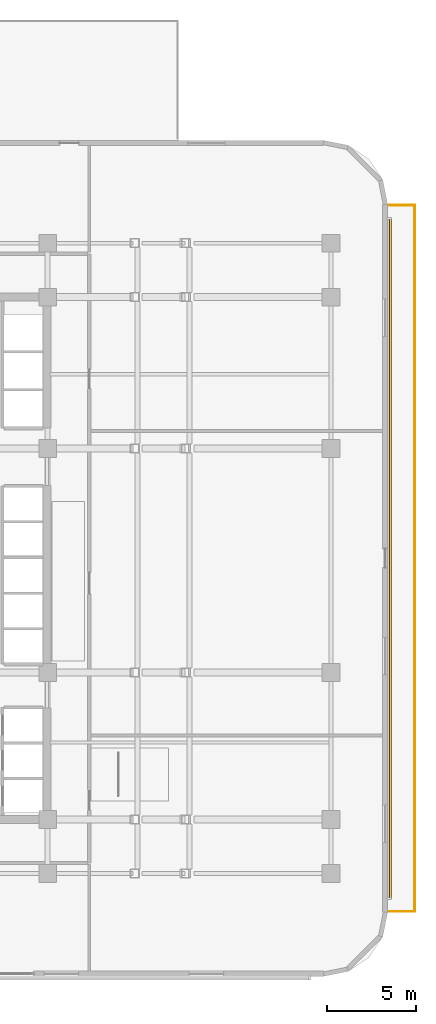
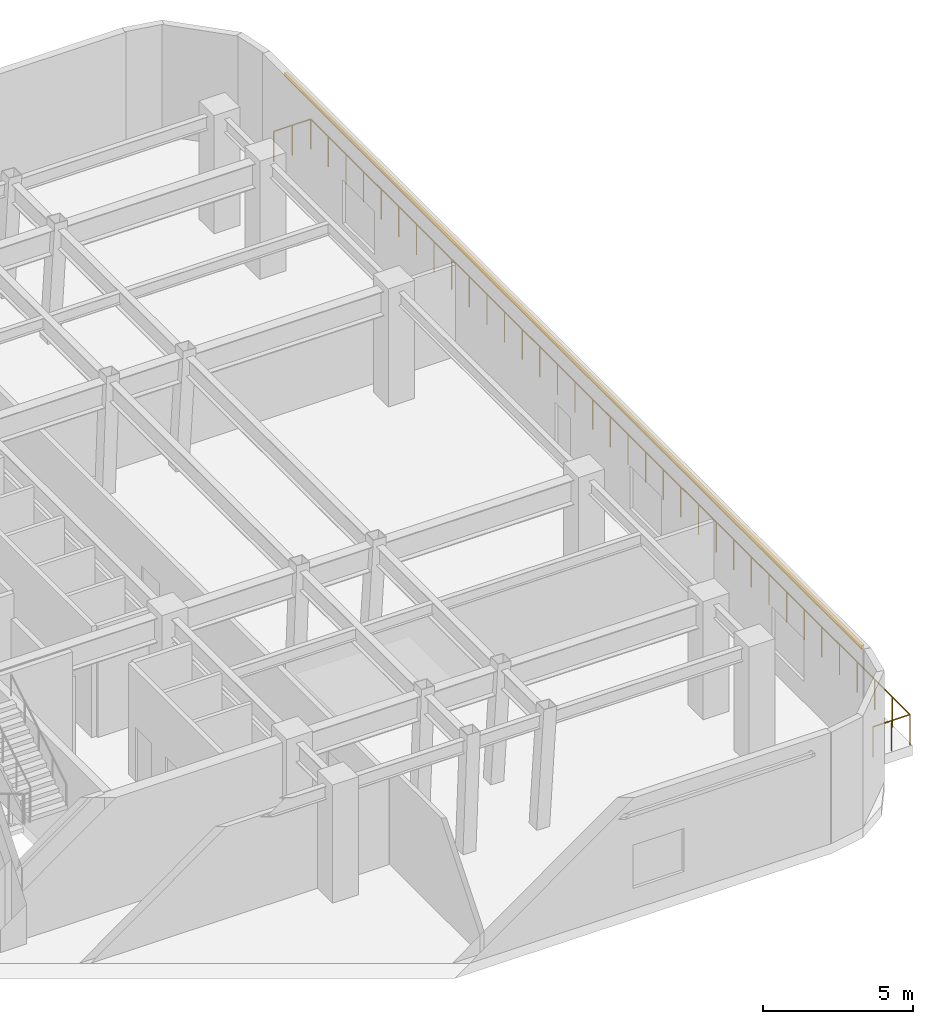
# One storey, part 17 of 18: 1 railing, 1 shading device.
"""IFC4 building model written with IfcOpenShell, lengths in metres."""

from ifc_helpers import new_model, si_unit, direction, frame, origin, origin_2d, place, context, subcontext, project, spatial, rectangle, circle, extrude, material, material_profile, profile_set, type_object, element, save


model = new_model("IFC4")

# Units and contexts
model_context = context("Model", 3, precision=1e-05, world=origin(), true_north=direction((0.0, 1.0)))
body_context = subcontext(model_context, "Body", "Model", "MODEL_VIEW")
ifc_project = project(units=[si_unit("LENGTHUNIT", "METRE"), si_unit("AREAUNIT", "SQUARE_METRE"), si_unit("VOLUMEUNIT", "CUBIC_METRE"), si_unit("PLANEANGLEUNIT", "RADIAN"), si_unit("MASSUNIT", "GRAM", prefix="KILO")], contexts=[model_context])

# Site, building, storey
site_placement = place(None, origin())
site = spatial("IfcSite", under=ifc_project, at=site_placement, CompositionType="ELEMENT")
building_placement = place(site_placement, origin())
building = spatial("IfcBuilding", under=site, at=building_placement, Name="Ochreholt Gables", CompositionType="ELEMENT")
storey_placement = place(building_placement, frame((0.0, 0.0, 4.800048828125)))
storey = spatial("IfcBuildingStorey", under=building, at=storey_placement, Name="L01", CompositionType="ELEMENT", Elevation=4.800048828125)

# Railing
ifc_material_1 = material(Name="Laminated Glass and Anodized Aluminium Guardrail", Category="aluminium")
railing_type = type_object("IfcRailingType", Name="RL-TER-1250", PredefinedType="GUARDRAIL", material=ifc_material_1)
railing_placement = place(storey_placement, frame((54.520263671875, 4.06005859375, 0.0)))
element("IfcRailing", 1, at=railing_placement, inside=storey, type_object=railing_type, Name="L01 Terrace Perimeter Guardrail TR-L01-E", PredefinedType="GUARDRAIL", context=body_context, shape_type="SweptSolid", body=[
    extrude(circle(Radius=0.02392578125, at=origin_2d()), frame((0.0, 0.0, 1.22607421875), z_axis=(1.0, 0.0, 0.0), x_axis=(0.0, 1.0, 0.0)), (0.0, 0.0, 1.0), 1.419677734375),
    extrude(circle(Radius=0.02392578125, at=origin_2d()), frame((1.419677734375, 0.0, 1.22607421875), z_axis=(0.0, 1.0, 0.0), x_axis=(-1.0, 0.0, 0.0)), (0.0, 0.0, 1.0), 39.8798828125),
    extrude(circle(Radius=0.02392578125, at=origin_2d()), frame((1.419677734375, 39.8798828125, 1.22607421875), z_axis=(-1.0, 0.0, 0.0), x_axis=(0.0, -1.0, 0.0)), (0.0, 0.0, 1.0), 1.419677734375),
    extrude(circle(Radius=0.02099609375, at=origin_2d()), origin(), (0.0, 0.0, 1.0), 1.201904296875),
    extrude(circle(Radius=0.02099609375, at=origin_2d()), frame((0.7099609375, 0.0, 0.0)), (0.0, 0.0, 1.0), 1.201904296875),
    extrude(circle(Radius=0.02099609375, at=origin_2d()), frame((1.419677734375, 0.0, 0.0)), (0.0, 0.0, 1.0), 1.201904296875),
    extrude(circle(Radius=0.02099609375, at=origin_2d()), frame((1.419677734375, 1.1728515625, 0.0)), (0.0, 0.0, 1.0), 1.201904296875),
    extrude(circle(Radius=0.02099609375, at=origin_2d()), frame((1.419677734375, 2.345947265625, 0.0)), (0.0, 0.0, 1.0), 1.201904296875),
    extrude(circle(Radius=0.02099609375, at=origin_2d()), frame((1.419677734375, 3.518798828125, 0.0)), (0.0, 0.0, 1.0), 1.201904296875),
    extrude(circle(Radius=0.02099609375, at=origin_2d()), frame((1.419677734375, 4.691650390625, 0.0)), (0.0, 0.0, 1.0), 1.201904296875),
    extrude(circle(Radius=0.02099609375, at=origin_2d()), frame((1.419677734375, 5.86474609375, 0.0)), (0.0, 0.0, 1.0), 1.201904296875),
    extrude(circle(Radius=0.02099609375, at=origin_2d()), frame((1.419677734375, 7.03759765625, 0.0)), (0.0, 0.0, 1.0), 1.201904296875),
    extrude(circle(Radius=0.02099609375, at=origin_2d()), frame((1.419677734375, 8.21044921875, 0.0)), (0.0, 0.0, 1.0), 1.201904296875),
    extrude(circle(Radius=0.02099609375, at=origin_2d()), frame((1.419677734375, 9.383544921875, 0.0)), (0.0, 0.0, 1.0), 1.201904296875),
    extrude(circle(Radius=0.02099609375, at=origin_2d()), frame((1.419677734375, 10.556396484375, 0.0)), (0.0, 0.0, 1.0), 1.201904296875),
    extrude(circle(Radius=0.02099609375, at=origin_2d()), frame((1.419677734375, 11.7294921875, 0.0)), (0.0, 0.0, 1.0), 1.201904296875),
    extrude(circle(Radius=0.02099609375, at=origin_2d()), frame((1.419677734375, 12.90234375, 0.0)), (0.0, 0.0, 1.0), 1.201904296875),
    extrude(circle(Radius=0.02099609375, at=origin_2d()), frame((1.419677734375, 14.0751953125, 0.0)), (0.0, 0.0, 1.0), 1.201904296875),
    extrude(circle(Radius=0.02099609375, at=origin_2d()), frame((1.419677734375, 15.248291015625, 0.0)), (0.0, 0.0, 1.0), 1.201904296875),
    extrude(circle(Radius=0.02099609375, at=origin_2d()), frame((1.419677734375, 16.421142578125, 0.0)), (0.0, 0.0, 1.0), 1.201904296875),
    extrude(circle(Radius=0.02099609375, at=origin_2d()), frame((1.419677734375, 17.593994140625, 0.0)), (0.0, 0.0, 1.0), 1.201904296875),
    extrude(circle(Radius=0.02099609375, at=origin_2d()), frame((1.419677734375, 18.76708984375, 0.0)), (0.0, 0.0, 1.0), 1.201904296875),
    extrude(circle(Radius=0.02099609375, at=origin_2d()), frame((1.419677734375, 19.93994140625, 0.0)), (0.0, 0.0, 1.0), 1.201904296875),
    extrude(circle(Radius=0.02099609375, at=origin_2d()), frame((1.419677734375, 21.11279296875, 0.0)), (0.0, 0.0, 1.0), 1.201904296875),
    extrude(circle(Radius=0.02099609375, at=origin_2d()), frame((1.419677734375, 22.285888671875, 0.0)), (0.0, 0.0, 1.0), 1.201904296875),
    extrude(circle(Radius=0.02099609375, at=origin_2d()), frame((1.419677734375, 23.458740234375, 0.0)), (0.0, 0.0, 1.0), 1.201904296875),
    extrude(circle(Radius=0.02099609375, at=origin_2d()), frame((1.419677734375, 24.631591796875, 0.0)), (0.0, 0.0, 1.0), 1.201904296875),
    extrude(circle(Radius=0.02099609375, at=origin_2d()), frame((1.419677734375, 25.8046875, 0.0)), (0.0, 0.0, 1.0), 1.201904296875),
    extrude(circle(Radius=0.02099609375, at=origin_2d()), frame((1.419677734375, 26.9775390625, 0.0)), (0.0, 0.0, 1.0), 1.201904296875),
    extrude(circle(Radius=0.02099609375, at=origin_2d()), frame((1.419677734375, 28.150390625, 0.0)), (0.0, 0.0, 1.0), 1.201904296875),
    extrude(circle(Radius=0.02099609375, at=origin_2d()), frame((1.419677734375, 29.323486328125, 0.0)), (0.0, 0.0, 1.0), 1.201904296875),
    extrude(circle(Radius=0.02099609375, at=origin_2d()), frame((1.419677734375, 30.496337890625, 0.0)), (0.0, 0.0, 1.0), 1.201904296875),
    extrude(circle(Radius=0.02099609375, at=origin_2d()), frame((1.419677734375, 31.66943359375, 0.0)), (0.0, 0.0, 1.0), 1.201904296875),
    extrude(circle(Radius=0.02099609375, at=origin_2d()), frame((1.419677734375, 32.84228515625, 0.0)), (0.0, 0.0, 1.0), 1.201904296875),
    extrude(circle(Radius=0.02099609375, at=origin_2d()), frame((1.419677734375, 34.01513671875, 0.0)), (0.0, 0.0, 1.0), 1.201904296875),
    extrude(circle(Radius=0.02099609375, at=origin_2d()), frame((1.419677734375, 35.188232421875, 0.0)), (0.0, 0.0, 1.0), 1.201904296875),
    extrude(circle(Radius=0.02099609375, at=origin_2d()), frame((1.419677734375, 36.361083984375, 0.0)), (0.0, 0.0, 1.0), 1.201904296875),
    extrude(circle(Radius=0.02099609375, at=origin_2d()), frame((1.419677734375, 37.533935546875, 0.0)), (0.0, 0.0, 1.0), 1.201904296875),
    extrude(circle(Radius=0.02099609375, at=origin_2d()), frame((1.419677734375, 38.70703125, 0.0)), (0.0, 0.0, 1.0), 1.201904296875),
    extrude(circle(Radius=0.02099609375, at=origin_2d()), frame((1.419677734375, 39.8798828125, 0.0)), (0.0, 0.0, 1.0), 1.201904296875),
    extrude(circle(Radius=0.02099609375, at=origin_2d()), frame((0.7099609375, 39.8798828125, 0.0)), (0.0, 0.0, 1.0), 1.201904296875),
    extrude(circle(Radius=0.02099609375, at=origin_2d()), frame((0.0, 39.8798828125, 0.0)), (0.0, 0.0, 1.0), 1.201904296875),
])

# Shading device
ifc_material_2 = material(Name="Warm Ochre Glazed Terracotta Baguette", Category="masonry")
ifc_material_profile = material_profile(ifc_material_2, rectangle(XDim=0.110107421875, YDim=0.14990234375, at=origin_2d()), Name="TCBAG110X150")
ifc_profile_set = profile_set([ifc_material_profile], Name="Warm Ochre Glazed Terracotta Baguette")
shading_device_type = type_object("IfcShadingDeviceType", Name="SHD-BAGUETTE", PredefinedType="USERDEFINED", material=ifc_profile_set)
shading_device_placement = place(storey_placement, frame((54.550048828125, 4.800048828125, 4.0), z_axis=(0.0, 1.0, 0.0), x_axis=(-1.0, 0.0, 0.0)))
element("IfcShadingDevice", 2, at=shading_device_placement, inside=storey, type_object=shading_device_type, Name="L01 Terracotta Baguette Screen E-1", ObjectType="BAGUETTE", PredefinedType="USERDEFINED", context=body_context, shape_type="SweptSolid", body=[
    extrude(rectangle(XDim=0.110107421875, YDim=0.14990234375, at=origin_2d()), origin(), (0.0, 0.0, 1.0), 38.39990234375),
])

save(model, "model.ifc")
